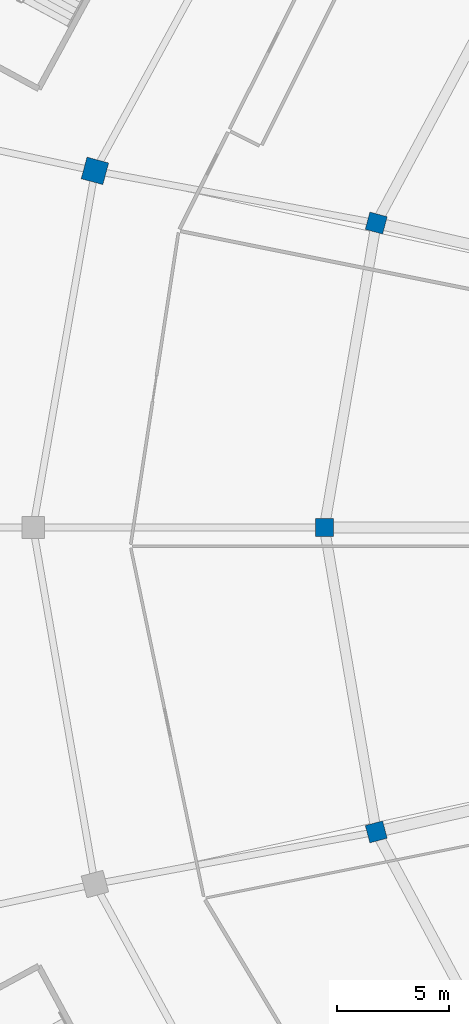
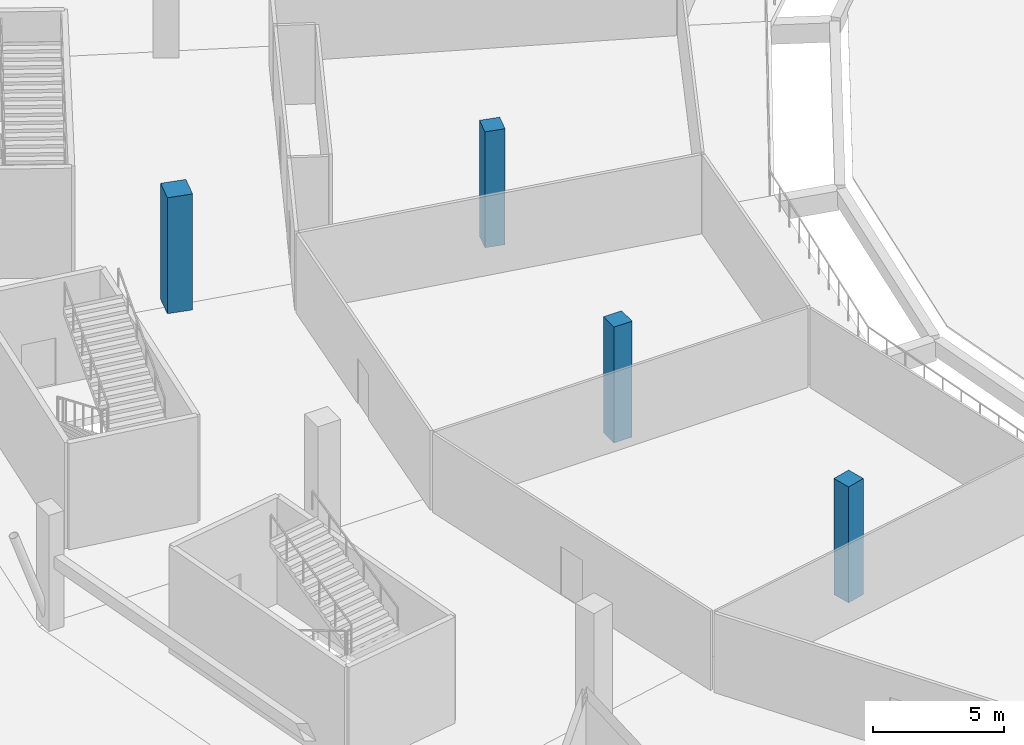
# One storey, part 8 of 82: 4 columns.
"""IFC4 building model written with IfcOpenShell, lengths in metres."""

import ifcopenshell
import ifcopenshell.guid

model = None  # the IFC model being written
_history = None  # IfcOwnerHistory: only IFC2X3 demands one
_inside = {}  # id of a spatial element -> (the spatial element, [elements in it])
_under = {}  # id of a project, library or spatial element -> (it, [spatial elements below it])
_declared = {}  # id of a project -> (the project, [libraries it declares])
_typed = {}  # id of a type object -> (the type object, [elements of that type])
_made_of = {}  # id of a material, layer set ... -> (it, [elements and type objects made of it])


def new_model(schema):
    """Start an empty IFC model of exactly this schema.

    Asked for "IFC4X3", IfcOpenShell would pick the latest addendum, in which some entities
    have other attributes; the version numbers below select the first issue.
    IFC2X3 requires an IfcOwnerHistory on every rooted entity: one is made here for all.
    """
    global model, _history
    if schema == "IFC4X3":
        model = ifcopenshell.file(schema_version=(4, 3, 0, 0))
    else:
        model = ifcopenshell.file(schema=schema)
    _inside.clear()
    _under.clear()
    _declared.clear()
    _typed.clear()
    _made_of.clear()
    _history = None
    if model.schema == "IFC2X3":
        org = make("IfcOrganization", Name="unknown")
        user = make(
            "IfcPersonAndOrganization",
            ThePerson=make("IfcPerson", FamilyName="unknown"),
            TheOrganization=org,
        )
        app = make(
            "IfcApplication",
            ApplicationDeveloper=org,
            Version="unknown",
            ApplicationFullName="unknown",
            ApplicationIdentifier="unknown",
        )
        _history = make(
            "IfcOwnerHistory",
            OwningUser=user,
            OwningApplication=app,
            ChangeAction="ADDED",
            CreationDate=0,
        )
    return model


def make(cls, **values):
    """One entity of the class cls with the attributes given. An attribute that is None is left unset."""
    return model.create_entity(
        cls, **{name: value for name, value in values.items() if value is not None}
    )


def rooted(cls, **values):
    """An entity with a GlobalId (a new one), such as an element, a storey or a relation."""
    return make(cls, GlobalId=ifcopenshell.guid.new(), OwnerHistory=_history, **values)


def si_unit(unit_type, name, prefix=None):
    """IfcSIUnit, for example si_unit("LENGTHUNIT", "METRE", prefix="MILLI")."""
    return make("IfcSIUnit", UnitType=unit_type, Prefix=prefix, Name=name)


def assignment(units):
    """IfcUnitAssignment: the units of a project."""
    return None if units is None else make("IfcUnitAssignment", Units=units)


def point(xyz):
    """IfcCartesianPoint."""
    return None if xyz is None else make("IfcCartesianPoint", Coordinates=xyz)


def direction(xyz):
    """IfcDirection."""
    return None if xyz is None else make("IfcDirection", DirectionRatios=xyz)


def frame(location, z_axis=None, x_axis=None):
    """IfcAxis2Placement3D, a coordinate frame: its origin and axes. An axis left out is left unset."""
    return make(
        "IfcAxis2Placement3D",
        Location=point(location),
        Axis=direction(z_axis),
        RefDirection=direction(x_axis),
    )


def frame_2d(location, x_axis=None):
    """IfcAxis2Placement2D, a coordinate frame in the plane: its origin and x axis."""
    return make(
        "IfcAxis2Placement2D", Location=point(location), RefDirection=direction(x_axis)
    )


def origin():
    """The frame at (0, 0, 0) with its axes left unset."""
    return frame((0.0, 0.0, 0.0))


def origin_2d():
    """The frame at (0, 0) in the plane with its x axis left unset."""
    return frame_2d((0.0, 0.0))


def place(relative_to, where):
    """IfcLocalPlacement: puts the frame where relative to a parent placement (None: the world)."""
    return make(
        "IfcLocalPlacement", PlacementRelTo=relative_to, RelativePlacement=where
    )


def context(
    kind, dimensions, precision=None, world=None, true_north=None, identifier=None
):
    """IfcGeometricRepresentationContext, for example the 3D "Model" context."""
    return make(
        "IfcGeometricRepresentationContext",
        ContextIdentifier=identifier,
        ContextType=kind,
        CoordinateSpaceDimension=dimensions,
        Precision=precision,
        WorldCoordinateSystem=world,
        TrueNorth=true_north,
    )


def subcontext(parent, identifier, kind, view, scale=None):
    """IfcGeometricRepresentationSubContext, for example "Body" below "Model"."""
    return make(
        "IfcGeometricRepresentationSubContext",
        ContextIdentifier=identifier,
        ContextType=kind,
        ParentContext=parent,
        TargetScale=scale,
        TargetView=view,
    )


def project(units=None, contexts=None):
    """IfcProject with its units and contexts."""
    return rooted(
        "IfcProject",
        Name="project",
        RepresentationContexts=contexts,
        UnitsInContext=assignment(units),
    )


def spatial(cls, under=None, at=None, **own):
    """A site, building, storey or space (cls), placed at a placement, below another one or the project."""
    s = rooted(cls, ObjectPlacement=at, **own)
    if under is not None:
        _under.setdefault(under.id(), (under, []))[1].append(s)
    return s


def profile(cls, at=None, kind="AREA", **sizes):
    """A parametric profile (cls). Its sizes go by their IFC names, for example OverallWidth=200.0."""
    return make(cls, ProfileType=kind, Position=at, **sizes)


def rectangle(**sizes):
    """IfcRectangleProfileDef."""
    return profile("IfcRectangleProfileDef", **sizes)


def extrude(swept, where, along, depth):
    """IfcExtrudedAreaSolid: the profile swept, set in the frame where, extruded along a direction by depth."""
    return make(
        "IfcExtrudedAreaSolid",
        SweptArea=swept,
        Position=where,
        ExtrudedDirection=direction(along),
        Depth=depth,
    )


def shape(context_of_items, identifier, shape_type, items):
    """IfcShapeRepresentation: the items that make up one representation, for example the "Body"."""
    return make(
        "IfcShapeRepresentation",
        ContextOfItems=context_of_items,
        RepresentationIdentifier=identifier,
        RepresentationType=shape_type,
        Items=items,
    )


def material(Name=None, Category=None):
    """IfcMaterial."""
    return make("IfcMaterial", Name=Name, Category=Category)


def material_profile(
    of_material, cross_section, Name=None, Category=None, Priority=None
):
    """IfcMaterialProfile: a cross section and its material."""
    return make(
        "IfcMaterialProfile",
        Name=Name,
        Material=of_material,
        Profile=cross_section,
        Priority=Priority,
        Category=Category,
    )


def profile_set(profiles, Name=None, composite=None):
    """IfcMaterialProfileSet."""
    return make(
        "IfcMaterialProfileSet",
        Name=Name,
        MaterialProfiles=profiles,
        CompositeProfile=composite,
    )


def made_of(thing, what):
    """Note that an element or type object is made of a material, layer set ...; save() writes the relation."""
    if what is not None:
        _made_of.setdefault(what.id(), (what, []))[1].append(thing)
    return thing


def type_object(cls, material=None, **own):
    """A type object (cls), such as IfcWallType, which elements share."""
    return made_of(rooted(cls, **own), material)


def element(
    cls,
    number,
    at=None,
    inside=None,
    cuts=None,
    type_object=None,
    material=None,
    context=None,
    identifier="Body",
    shape_type=None,
    held_by="IfcProductDefinitionShape",
    body=None,
    shapes=None,
    **own,
):
    """One element of the class cls, such as IfcWall. Its Tag is "e" and its number.

    at: its placement. inside: the storey or other place that contains it. cuts: it is an
    opening in that element (IfcRelVoidsElement). A single representation is given by context,
    identifier, shape_type and body (its items); several are given by shapes. held_by: the class
    of the entity that holds the representations. save() writes the other relations.
    """
    e = rooted(cls, Tag="e%d" % number, ObjectPlacement=at, **own)
    if body is not None:
        shapes = [shape(context, identifier, shape_type, body)]
    if shapes is not None:
        e.Representation = make(held_by, Representations=shapes)
    if inside is not None:
        _inside.setdefault(inside.id(), (inside, []))[1].append(e)
    if cuts is not None:
        rooted(
            "IfcRelVoidsElement", RelatingBuildingElement=cuts, RelatedOpeningElement=e
        )
    if type_object is not None:
        _typed.setdefault(type_object.id(), (type_object, []))[1].append(e)
    return made_of(e, material)


def aggregate(whole, parts):
    """IfcRelAggregates: a whole, such as a stair, and the parts it consists of."""
    return rooted("IfcRelAggregates", RelatingObject=whole, RelatedObjects=parts)


def save(model, path):
    """Write the relations noted so far, then the file.

    IfcRelAggregates (storeys below a building ...), IfcRelContainedInSpatialStructure (elements
    in a storey), IfcRelDefinesByType, IfcRelAssociatesMaterial and IfcRelDeclares: one each for
    every whole, place, type object, material and project.
    """
    for whole, parts in _under.values():
        aggregate(whole, parts)
    for where, things in _inside.values():
        rooted(
            "IfcRelContainedInSpatialStructure",
            RelatedElements=things,
            RelatingStructure=where,
        )
    for kind, things in _typed.values():
        rooted("IfcRelDefinesByType", RelatedObjects=things, RelatingType=kind)
    for what, things in _made_of.values():
        rooted("IfcRelAssociatesMaterial", RelatedObjects=things, RelatingMaterial=what)
    for by, libraries in _declared.values():
        rooted("IfcRelDeclares", RelatingContext=by, RelatedDefinitions=libraries)
    model.write(path)


model = new_model("IFC4")

# Units and contexts
model_context = context("Model", 3, precision=1e-05, world=origin(), true_north=direction((0.0, 1.0)))
body_context = subcontext(model_context, "Body", "Model", "MODEL_VIEW")
ifc_project = project(units=[si_unit("LENGTHUNIT", "METRE"), si_unit("AREAUNIT", "SQUARE_METRE"), si_unit("VOLUMEUNIT", "CUBIC_METRE"), si_unit("PLANEANGLEUNIT", "RADIAN"), si_unit("MASSUNIT", "GRAM", prefix="KILO")], contexts=[model_context])

# Site, building, storey
site_placement = place(None, origin())
site = spatial("IfcSite", under=ifc_project, at=site_placement, CompositionType="ELEMENT")
building_placement = place(site_placement, origin())
building = spatial("IfcBuilding", under=site, at=building_placement, Name="Zlatoyarsky Gate Stadium", CompositionType="ELEMENT")
storey_placement = place(building_placement, origin())
storey = spatial("IfcBuildingStorey", under=building, at=storey_placement, Name="L00", CompositionType="ELEMENT", Elevation=0.0)

# Columns
ifc_material = material(Name="Concrete C40/50", Category="concrete")
ifc_material_profile_1 = material_profile(ifc_material, rectangle(XDim=1.0, YDim=1.0, at=origin_2d()), Name="RC COL 1000X1000")
ifc_profile_set_1 = profile_set([ifc_material_profile_1], Name="Concrete C40/50")
column_type_1 = type_object("IfcColumnType", Name="CONCRETE COLUMN 1000X1000", PredefinedType="COLUMN", material=ifc_profile_set_1)
column_placement = place(storey_placement, frame((32.760009765625, 95.91748046875, 0.0), z_axis=(0.0, 0.0, 1.0), x_axis=(-0.965925826289, 0.258819045103, 0.0)))
element("IfcColumn", 1, at=column_placement, inside=storey, type_object=column_type_1, Name="Column RC-C100 RB-11 on L00", PredefinedType="COLUMN", context=body_context, shape_type="SweptSolid", body=[
    extrude(rectangle(XDim=1.0, YDim=1.0, at=origin_2d()), origin(), (0.0, 0.0, 1.0), 5.39990234375),
])
ifc_material_profile_2 = material_profile(ifc_material, rectangle(XDim=0.800048828125, YDim=0.800048828125, at=origin_2d()), Name="RC COL 800X800")
ifc_profile_set_2 = profile_set([ifc_material_profile_2], Name="Concrete C40/50")
column_type_2 = type_object("IfcColumnType", Name="CONCRETE COLUMN 800X800", PredefinedType="COLUMN", material=ifc_profile_set_2)
for number, where, z_axis, x_axis, name in (
    (2, (45.31689453125, 93.587890625, 0.0), (0.0, 0.0, 1.0), (-0.965925826289, 0.258819045103, 0.0), "Column RC-C80 RA-11 on L00"),
    (3, (43.0, 80.0, 0.0), (0.0, 0.0, 1.0), (-1.0, 0.0, 0.0), "Column RC-C80 RA-12 on L00"),
    (4, (45.31689453125, 66.412109375, 0.0), (0.0, 0.0, 1.0), (-0.965925826289, -0.258819045103, 0.0), "Column RC-C80 RA-13 on L00"),
):
    element("IfcColumn", number, at=place(storey_placement, frame(where, z_axis=z_axis, x_axis=x_axis)), inside=storey, type_object=column_type_2, Name=name, PredefinedType="COLUMN", context=body_context, shape_type="SweptSolid", body=[
        extrude(rectangle(XDim=0.800048828125, YDim=0.800048828125, at=origin_2d()), origin(), (0.0, 0.0, 1.0), 5.39990234375),
    ])

save(model, "model.ifc")
